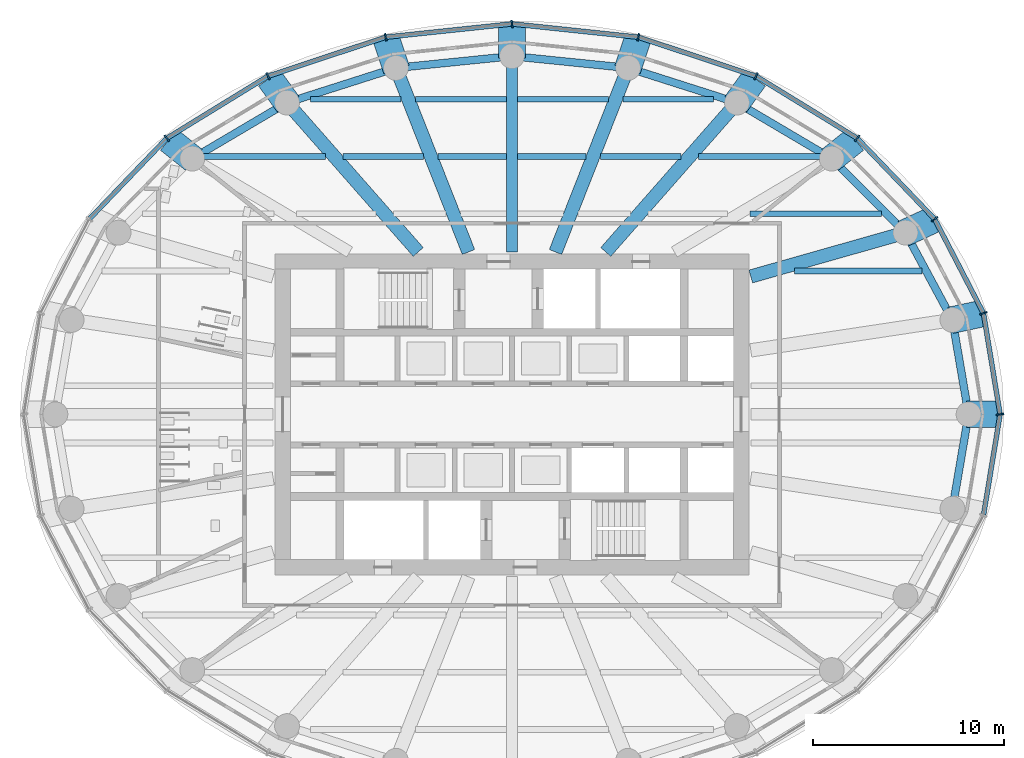
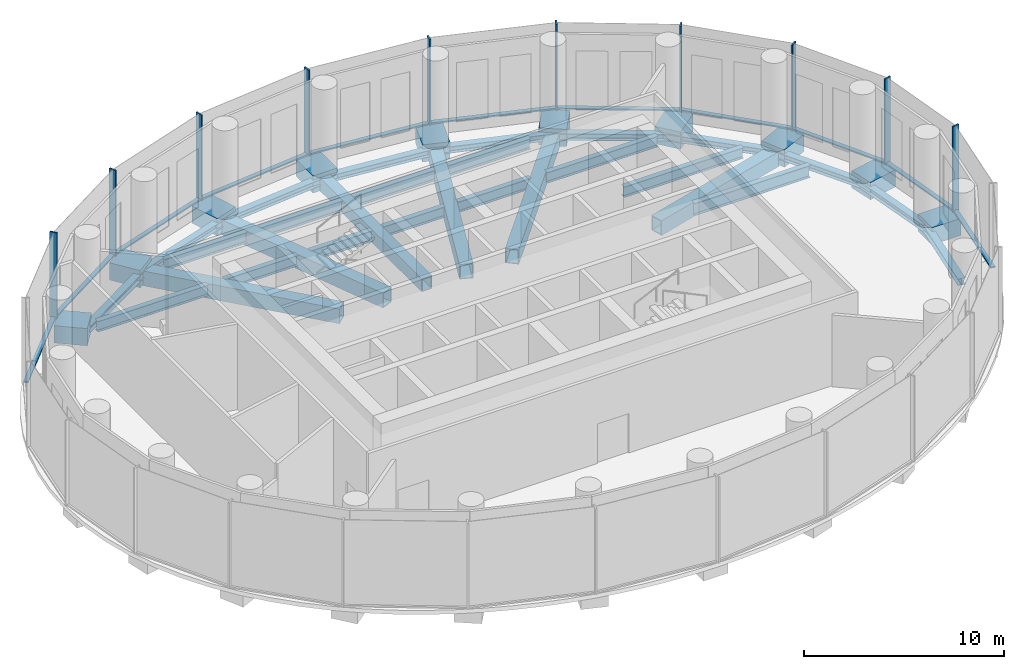
# One storey, part 3 of 13: 38 beams, 21 members, 3 elements without a shape of their own.
"""IFC4 building model written with IfcOpenShell, lengths in metres."""

from ifc_helpers import new_model, si_unit, direction, frame, origin, origin_2d, place, context, subcontext, project, spatial, rectangle, hollow_rectangle, i_section, extrude, material, material_profile, profile_set, type_object, element, aggregate, save


model = new_model("IFC4")

# Units and contexts
model_context = context("Model", 3, precision=1e-05, world=origin(), true_north=direction((0.0, 1.0)))
body_context = subcontext(model_context, "Body", "Model", "MODEL_VIEW")
ifc_project = project(units=[si_unit("LENGTHUNIT", "METRE"), si_unit("AREAUNIT", "SQUARE_METRE"), si_unit("VOLUMEUNIT", "CUBIC_METRE"), si_unit("PLANEANGLEUNIT", "RADIAN"), si_unit("MASSUNIT", "GRAM", prefix="KILO")], contexts=[model_context])

# Site, building, storey
site_placement = place(None, origin())
site = spatial("IfcSite", under=ifc_project, at=site_placement, CompositionType="ELEMENT")
building_placement = place(site_placement, origin())
building = spatial("IfcBuilding", under=site, at=building_placement, Name="Hankou Lantern Tower", CompositionType="ELEMENT")
storey_placement = place(building_placement, frame((0.0, 0.0, 100.199951171875)))
storey = spatial("IfcBuildingStorey", under=building, at=storey_placement, Name="L25", CompositionType="ELEMENT", Elevation=100.199951171875)

# Beams
ifc_material_1 = material(Name="Steel Q355B", Category="steel")
ifc_material_profile_1 = material_profile(ifc_material_1, i_section(OverallWidth=0.39990234375, OverallDepth=0.39990234375, WebThickness=0.012939453125, FlangeThickness=0.02099609375, FilletRadius=0.02197265625, at=origin_2d()), Name="HW400x400x13x21")
ifc_profile_set_1 = profile_set([ifc_material_profile_1], Name="Steel Q355B")
beam_type_1 = type_object("IfcBeamType", Name="EB19 RING BEAM HW400x400x13x21", PredefinedType="SPANDREL", material=ifc_profile_set_1)
beam_1_placement = place(storey_placement, frame((23.89990234375, 0.0, -0.449951171875), z_axis=(-0.168527258545, 0.985696993567, 0.0), x_axis=(-0.985696993567, -0.168527258545, 0.0)))
element("IfcBeam", 1, at=beam_1_placement, inside=storey, type_object=beam_type_1, Name="Ring beam R01-R02 L25", PredefinedType="SPANDREL", context=body_context, shape_type="SweptSolid", body=[
    extrude(i_section(OverallWidth=0.39990234375, OverallDepth=0.39990234375, WebThickness=0.012939453125, FlangeThickness=0.02099609375, FilletRadius=0.02197265625, at=origin_2d()), origin(), (0.0, 0.0, 1.0), 5.013916015625),
])
beam_2_placement = place(storey_placement, frame((23.054931640625, 4.942138671875, -0.449951171875), z_axis=(-0.473824901673, 0.880619079145, 0.0), x_axis=(-0.880619079145, -0.473824901673, 0.0)))
element("IfcBeam", 2, at=beam_2_placement, inside=storey, type_object=beam_type_1, Name="Ring beam R02-R03 L25", PredefinedType="SPANDREL", context=body_context, shape_type="SweptSolid", body=[
    extrude(i_section(OverallWidth=0.39990234375, OverallDepth=0.39990234375, WebThickness=0.012939453125, FlangeThickness=0.02099609375, FilletRadius=0.02197265625, at=origin_2d()), origin(), (0.0, 0.0, 1.0), 5.190185546875),
])
beam_3_placement = place(storey_placement, frame((20.595703125, 9.5126953125, -0.449951171875), z_axis=(-0.705945468625, 0.708266189599, 0.0), x_axis=(-0.708266189599, -0.705945468625, 0.0)))
element("IfcBeam", 3, at=beam_3_placement, inside=storey, type_object=beam_type_1, Name="Ring beam R03-R04 L25", PredefinedType="SPANDREL", context=body_context, shape_type="SweptSolid", body=[
    extrude(i_section(OverallWidth=0.39990234375, OverallDepth=0.39990234375, WebThickness=0.012939453125, FlangeThickness=0.02099609375, FilletRadius=0.02197265625, at=origin_2d()), origin(), (0.0, 0.0, 1.0), 5.470458984375),
])
beam_4_placement = place(storey_placement, frame((16.73388671875, 13.38720703125, -0.449951171875), z_axis=(-0.860988974188, 0.508623619513, 0.0), x_axis=(-0.508623619513, -0.860988974188, 0.0)))
element("IfcBeam", 4, at=beam_4_placement, inside=storey, type_object=beam_type_1, Name="Ring beam R04-R05 L25", PredefinedType="SPANDREL", context=body_context, shape_type="SweptSolid", body=[
    extrude(i_section(OverallWidth=0.39990234375, OverallDepth=0.39990234375, WebThickness=0.012939453125, FlangeThickness=0.02099609375, FilletRadius=0.02197265625, at=origin_2d()), origin(), (0.0, 0.0, 1.0), 5.759033203125),
])
beam_5_placement = place(storey_placement, frame((11.775390625, 16.31640625, -0.449951171875), z_axis=(-0.952731090451, 0.303814860215, 0.0), x_axis=(-0.303814860215, -0.952731090451, 0.0)))
element("IfcBeam", 5, at=beam_5_placement, inside=storey, type_object=beam_type_1, Name="Ring beam R05-R06 L25", PredefinedType="SPANDREL", context=body_context, shape_type="SweptSolid", body=[
    extrude(i_section(OverallWidth=0.39990234375, OverallDepth=0.39990234375, WebThickness=0.012939453125, FlangeThickness=0.02099609375, FilletRadius=0.02197265625, at=origin_2d()), origin(), (0.0, 0.0, 1.0), 5.984375),
])
for number, where, z_axis, x_axis, name in (
    (6, (6.073974609375, 18.134521484375, -0.449951171875), (-0.994905271594, 0.100814188259, 0.0), (-0.100814188259, -0.994905271594, 0.0), "Ring beam R06-R07 L25"),
    (7, (0.0, 18.75, -0.449951171875), (-0.994905271594, -0.100814188259, 0.0), (0.100814188259, -0.994905271594, 0.0), "Ring beam R07-R08 L25"),
):
    element("IfcBeam", number, at=place(storey_placement, frame(where, z_axis=z_axis, x_axis=x_axis)), inside=storey, type_object=beam_type_1, Name=name, PredefinedType="SPANDREL", context=body_context, shape_type="SweptSolid", body=[
        extrude(i_section(OverallWidth=0.39990234375, OverallDepth=0.39990234375, WebThickness=0.012939453125, FlangeThickness=0.02099609375, FilletRadius=0.02197265625, at=origin_2d()), origin(), (0.0, 0.0, 1.0), 6.10498046875),
    ])
beam_6_placement = place(storey_placement, frame((-6.073974609375, 18.134521484375, -0.449951171875), z_axis=(-0.952731090451, -0.303814860215, 0.0), x_axis=(0.303814860215, -0.952731090451, 0.0)))
element("IfcBeam", 8, at=beam_6_placement, inside=storey, type_object=beam_type_1, Name="Ring beam R08-R09 L25", PredefinedType="SPANDREL", context=body_context, shape_type="SweptSolid", body=[
    extrude(i_section(OverallWidth=0.39990234375, OverallDepth=0.39990234375, WebThickness=0.012939453125, FlangeThickness=0.02099609375, FilletRadius=0.02197265625, at=origin_2d()), origin(), (0.0, 0.0, 1.0), 5.984375),
])
beam_7_placement = place(storey_placement, frame((-11.775390625, 16.31640625, -0.449951171875), z_axis=(-0.860988974188, -0.508623619513, 0.0), x_axis=(0.508623619513, -0.860988974188, 0.0)))
element("IfcBeam", 9, at=beam_7_placement, inside=storey, type_object=beam_type_1, Name="Ring beam R09-R10 L25", PredefinedType="SPANDREL", context=body_context, shape_type="SweptSolid", body=[
    extrude(i_section(OverallWidth=0.39990234375, OverallDepth=0.39990234375, WebThickness=0.012939453125, FlangeThickness=0.02099609375, FilletRadius=0.02197265625, at=origin_2d()), origin(), (0.0, 0.0, 1.0), 5.759033203125),
])
beam_8_placement = place(storey_placement, frame((23.054931640625, -4.942138671875, -0.449951171875), z_axis=(0.168527258545, 0.985696993567, 0.0), x_axis=(-0.985696993567, 0.168527258545, 0.0)))
element("IfcBeam", 10, at=beam_8_placement, inside=storey, type_object=beam_type_1, Name="Ring beam R24-R01 L25", PredefinedType="SPANDREL", context=body_context, shape_type="SweptSolid", body=[
    extrude(i_section(OverallWidth=0.39990234375, OverallDepth=0.39990234375, WebThickness=0.012939453125, FlangeThickness=0.02099609375, FilletRadius=0.02197265625, at=origin_2d()), origin(), (0.0, 0.0, 1.0), 5.013916015625),
])

# Curtain wall, members
ifc_material_2 = material(Name="Glass, dark grey tinted laminated", Category="glass")
curtain_wall_type = type_object("IfcCurtainWallType", Name="CWB OUTER SKIN MID-RISE", PredefinedType="USERDEFINED", material=ifc_material_2)
curtain_wall_1_placement = place(storey_placement, origin())
curtain_wall_1 = element("IfcCurtainWall", 11, at=curtain_wall_1_placement, inside=storey, type_object=curtain_wall_type, Name="CWB L25 OS1", ObjectType="OUTER SKIN MID-RISE", PredefinedType="USERDEFINED")
ifc_material_3 = material(Name="Aluminium, black anodised", Category="aluminium")
ifc_material_profile_2 = material_profile(ifc_material_3, rectangle(XDim=0.080078125, YDim=0.39990234375, at=origin_2d()), Name="MU3 80X400")
ifc_profile_set_2 = profile_set([ifc_material_profile_2], Name="Aluminium, black anodised")
member_type_1 = type_object("IfcMemberType", Name="MU3 OUTER SKIN TALL MULLION 80X400", PredefinedType="MULLION", material=ifc_profile_set_2)
member_1_placement = place(storey_placement, frame((25.550048828125, 0.0, 0.0), z_axis=(0.0, 0.0, 1.0), x_axis=(-0.162381515188, 0.986728049427, 0.0)))
member_1 = element("IfcMember", 12, at=member_1_placement, type_object=member_type_1, Name="CWB mullion 1", PredefinedType="MULLION", context=body_context, shape_type="SweptSolid", body=[
    extrude(rectangle(XDim=0.080078125, YDim=0.39990234375, at=origin_2d()), origin(), (0.0, 0.0, 1.0), 5.219970703125),
])
member_2_placement = place(storey_placement, frame((24.679443359375, 5.290283203125, 0.0), z_axis=(0.0, 0.0, 1.0), x_axis=(-0.317595577365, 0.94822626479, 0.0)))
member_2 = element("IfcMember", 13, at=member_2_placement, type_object=member_type_1, Name="CWB mullion 2", PredefinedType="MULLION", context=body_context, shape_type="SweptSolid", body=[
    extrude(rectangle(XDim=0.080078125, YDim=0.39990234375, at=origin_2d()), origin(), (0.0, 0.0, 1.0), 5.219970703125),
])
member_3_placement = place(storey_placement, frame((22.126953125, 10.219970703125, 0.0), z_axis=(0.0, 0.0, 1.0), x_axis=(-0.585205735974, 0.810884854084, 0.0)))
member_3 = element("IfcMember", 14, at=member_3_placement, type_object=member_type_1, Name="CWB mullion 3", PredefinedType="MULLION", context=body_context, shape_type="SweptSolid", body=[
    extrude(rectangle(XDim=0.080078125, YDim=0.39990234375, at=origin_2d()), origin(), (0.0, 0.0, 1.0), 5.219970703125),
])
member_4_placement = place(storey_placement, frame((18.066650390625, 14.453369140625, 0.0), z_axis=(0.0, 0.0, 1.0), x_axis=(-0.780868809444, 0.624695047553, 0.0)))
member_4 = element("IfcMember", 15, at=member_4_placement, type_object=member_type_1, Name="CWB mullion 4", PredefinedType="MULLION", context=body_context, shape_type="SweptSolid", body=[
    extrude(rectangle(XDim=0.080078125, YDim=0.39990234375, at=origin_2d()), origin(), (0.0, 0.0, 1.0), 5.219970703125),
])
member_5_placement = place(storey_placement, frame((12.77490234375, 17.70166015625, 0.0), z_axis=(0.0, 0.0, 1.0), x_axis=(-0.907841299004, 0.419313934686, 0.0)))
member_5 = element("IfcMember", 16, at=member_5_placement, type_object=member_type_1, Name="CWB mullion 5", PredefinedType="MULLION", context=body_context, shape_type="SweptSolid", body=[
    extrude(rectangle(XDim=0.080078125, YDim=0.39990234375, at=origin_2d()), origin(), (0.0, 0.0, 1.0), 5.219970703125),
])
member_6_placement = place(storey_placement, frame((6.61279296875, 19.743408203125, 0.0), z_axis=(0.0, 0.0, 1.0), x_axis=(-0.977787659625, 0.209597931016, 0.0)))
member_6 = element("IfcMember", 17, at=member_6_placement, type_object=member_type_1, Name="CWB mullion 6", PredefinedType="MULLION", context=body_context, shape_type="SweptSolid", body=[
    extrude(rectangle(XDim=0.080078125, YDim=0.39990234375, at=origin_2d()), origin(), (0.0, 0.0, 1.0), 5.219970703125),
])

curtain_wall_2_placement = place(storey_placement, origin())
curtain_wall_2 = element("IfcCurtainWall", 18, at=curtain_wall_2_placement, inside=storey, type_object=curtain_wall_type, Name="CWB L25 OS2", ObjectType="OUTER SKIN MID-RISE", PredefinedType="USERDEFINED")
member_7_placement = place(storey_placement, frame((0.0, 20.43994140625, 0.0), z_axis=(0.0, 0.0, 1.0), x_axis=(-0.994499359107, -0.104742659579, 0.0)))
member_7 = element("IfcMember", 19, at=member_7_placement, type_object=member_type_1, Name="CWB mullion 1", PredefinedType="MULLION", context=body_context, shape_type="SweptSolid", body=[
    extrude(rectangle(XDim=0.080078125, YDim=0.39990234375, at=origin_2d()), origin(), (0.0, 0.0, 1.0), 5.219970703125),
])
member_8_placement = place(storey_placement, frame((-6.61279296875, 19.743408203125, 0.0), z_axis=(0.0, 0.0, 1.0), x_axis=(-0.977787659625, -0.209597931016, 0.0)))
member_8 = element("IfcMember", 20, at=member_8_placement, type_object=member_type_1, Name="CWB mullion 2", PredefinedType="MULLION", context=body_context, shape_type="SweptSolid", body=[
    extrude(rectangle(XDim=0.080078125, YDim=0.39990234375, at=origin_2d()), origin(), (0.0, 0.0, 1.0), 5.219970703125),
])
member_9_placement = place(storey_placement, frame((-12.77490234375, 17.70166015625, 0.0), z_axis=(0.0, 0.0, 1.0), x_axis=(-0.907841299004, -0.419313934686, 0.0)))
member_9 = element("IfcMember", 21, at=member_9_placement, type_object=member_type_1, Name="CWB mullion 3", PredefinedType="MULLION", context=body_context, shape_type="SweptSolid", body=[
    extrude(rectangle(XDim=0.080078125, YDim=0.39990234375, at=origin_2d()), origin(), (0.0, 0.0, 1.0), 5.219970703125),
])
member_10_placement = place(storey_placement, frame((-18.066650390625, 14.453369140625, 0.0), z_axis=(0.0, 0.0, 1.0), x_axis=(-0.780868809444, -0.624695047553, 0.0)))
member_10 = element("IfcMember", 22, at=member_10_placement, type_object=member_type_1, Name="CWB mullion 4", PredefinedType="MULLION", context=body_context, shape_type="SweptSolid", body=[
    extrude(rectangle(XDim=0.080078125, YDim=0.39990234375, at=origin_2d()), origin(), (0.0, 0.0, 1.0), 5.219970703125),
])

# Beams
ifc_material_4 = material(Name="Steel Q390GJ", Category="steel")
ifc_material_profile_3 = material_profile(ifc_material_4, hollow_rectangle(XDim=0.60009765625, YDim=0.800048828125, WallThickness=0.050048828125, at=origin_2d()), Name="BOX800x600x50")
ifc_profile_set_3 = profile_set([ifc_material_profile_3], Name="Steel Q390GJ")
beam_type_2 = type_object("IfcBeamType", Name="OT1 OUTRIGGER CHORD BOX800x600x50", PredefinedType="BEAM", material=ifc_profile_set_3)
beam_9_placement = place(storey_placement, frame((0.0, 8.5, -0.64990234375), z_axis=(0.0, 1.0, 0.0), x_axis=(-1.0, 0.0, 0.0)))
element("IfcBeam", 23, at=beam_9_placement, inside=storey, type_object=beam_type_2, Name="Radial beam R07 L25", PredefinedType="BEAM", context=body_context, shape_type="SweptSolid", body=[
    extrude(hollow_rectangle(XDim=0.60009765625, YDim=0.800048828125, WallThickness=0.050048828125, at=origin_2d()), origin(), (0.0, 0.0, 1.0), 10.25),
])
ifc_material_5 = material(Name="Steel Q355B", Category="steel")
ifc_material_profile_4 = material_profile(ifc_material_5, hollow_rectangle(XDim=0.699951171875, YDim=0.89990234375, WallThickness=0.050048828125, at=origin_2d()), Name="BOX900x700x50")
ifc_profile_set_4 = profile_set([ifc_material_profile_4], Name="Steel Q355B")
beam_type_3 = type_object("IfcBeamType", Name="RB27 RADIAL BEAM BOX900x700x50", PredefinedType="BEAM", material=ifc_profile_set_4)
beam_10_placement = place(storey_placement, frame((12.5, 7.216796875, -0.699951171875), z_axis=(0.96206075006, 0.272835322484, 0.0), x_axis=(-0.272835322484, 0.96206075006, 0.0)))
element("IfcBeam", 24, at=beam_10_placement, inside=storey, type_object=beam_type_3, Name="Radial beam R03 L25", PredefinedType="BEAM", context=body_context, shape_type="SweptSolid", body=[
    extrude(hollow_rectangle(XDim=0.699951171875, YDim=0.89990234375, WallThickness=0.050048828125, at=origin_2d()), origin(), (0.0, 0.0, 1.0), 8.4150390625),
])
beam_11_placement = place(storey_placement, frame((4.907470703125, 8.5, -0.699951171875), z_axis=(0.660058037613, 0.751214607807, 0.0), x_axis=(-0.751214607807, 0.660058037613, 0.0)))
element("IfcBeam", 25, at=beam_11_placement, inside=storey, type_object=beam_type_3, Name="Radial beam R05 L25", PredefinedType="BEAM", context=body_context, shape_type="SweptSolid", body=[
    extrude(hollow_rectangle(XDim=0.699951171875, YDim=0.89990234375, WallThickness=0.050048828125, at=origin_2d()), origin(), (0.0, 0.0, 1.0), 10.405029296875),
])
for number, where, z_axis, x_axis, name in (
    (26, (2.277587890625, 8.5, -0.699951171875), (0.366605533444, 0.930376473718, 0.0), (-0.930376473718, 0.366605533444, 0.0), "Radial beam R06 L25"),
    (27, (-2.277587890625, 8.5, -0.699951171875), (-0.366605533444, 0.930376473718, 0.0), (-0.930376473718, -0.366605533444, 0.0), "Radial beam R08 L25"),
):
    element("IfcBeam", number, at=place(storey_placement, frame(where, z_axis=z_axis, x_axis=x_axis)), inside=storey, type_object=beam_type_3, Name=name, PredefinedType="BEAM", context=body_context, shape_type="SweptSolid", body=[
        extrude(hollow_rectangle(XDim=0.699951171875, YDim=0.89990234375, WallThickness=0.050048828125, at=origin_2d()), origin(), (0.0, 0.0, 1.0), 10.35546875),
    ])
beam_12_placement = place(storey_placement, frame((-4.907470703125, 8.5, -0.699951171875), z_axis=(-0.660058037613, 0.751214607807, 0.0), x_axis=(-0.751214607807, -0.660058037613, 0.0)))
element("IfcBeam", 28, at=beam_12_placement, inside=storey, type_object=beam_type_3, Name="Radial beam R09 L25", PredefinedType="BEAM", context=body_context, shape_type="SweptSolid", body=[
    extrude(hollow_rectangle(XDim=0.699951171875, YDim=0.89990234375, WallThickness=0.050048828125, at=origin_2d()), origin(), (0.0, 0.0, 1.0), 10.405029296875),
])
ifc_material_6 = material(Name="Steel Q355B", Category="steel")
ifc_material_profile_5 = material_profile(ifc_material_6, i_section(OverallWidth=0.300048828125, OverallDepth=0.75, WebThickness=0.012939453125, FlangeThickness=0.02392578125, FilletRadius=0.01806640625, at=origin_2d()), Name="HN750x300x13x24")
ifc_profile_set_5 = profile_set([ifc_material_profile_5], Name="Steel Q355B")
beam_type_4 = type_object("IfcBeamType", Name="SB10 SECONDARY BEAM HN750x300x13x24", PredefinedType="JOIST", material=ifc_profile_set_5)
beam_13_placement = place(storey_placement, frame((14.78125, 7.5, -0.625), z_axis=(1.0, 0.0, 0.0), x_axis=(0.0, 1.0, 0.0)))
element("IfcBeam", 29, at=beam_13_placement, inside=storey, type_object=beam_type_4, Name="Floor joist J034 L25", PredefinedType="JOIST", context=body_context, shape_type="SweptSolid", body=[
    extrude(i_section(OverallWidth=0.300048828125, OverallDepth=0.75, WebThickness=0.012939453125, FlangeThickness=0.02392578125, FilletRadius=0.01806640625, at=origin_2d()), origin(), (0.0, 0.0, 1.0), 6.670166015625),
])
ifc_material_7 = material(Name="Steel Q355B", Category="steel")
ifc_material_profile_6 = material_profile(ifc_material_7, i_section(OverallWidth=0.300048828125, OverallDepth=0.64990234375, WebThickness=0.010986328125, FlangeThickness=0.01708984375, FilletRadius=0.01806640625, at=origin_2d()), Name="HN650x300x11x17")
ifc_profile_set_6 = profile_set([ifc_material_profile_6], Name="Steel Q355B")
beam_type_5 = type_object("IfcBeamType", Name="SB8 SECONDARY BEAM HN650x300x11x17", PredefinedType="JOIST", material=ifc_profile_set_6)
beam_14_placement = place(storey_placement, frame((12.457275390625, 10.5, -0.574951171875), z_axis=(1.0, 0.0, 0.0), x_axis=(0.0, 1.0, 0.0)))
element("IfcBeam", 30, at=beam_14_placement, inside=storey, type_object=beam_type_5, Name="Floor joist J042 L25", PredefinedType="JOIST", context=body_context, shape_type="SweptSolid", body=[
    extrude(i_section(OverallWidth=0.300048828125, OverallDepth=0.64990234375, WebThickness=0.010986328125, FlangeThickness=0.01708984375, FilletRadius=0.01806640625, at=origin_2d()), origin(), (0.0, 0.0, 1.0), 6.871826171875),
])
beam_15_placement = place(storey_placement, frame((-16.149658203125, 13.5, -0.574951171875), z_axis=(1.0, 0.0, 0.0), x_axis=(0.0, 1.0, 0.0)))
element("IfcBeam", 31, at=beam_15_placement, inside=storey, type_object=beam_type_5, Name="Floor joist J043 L25", PredefinedType="JOIST", context=body_context, shape_type="SweptSolid", body=[
    extrude(i_section(OverallWidth=0.300048828125, OverallDepth=0.64990234375, WebThickness=0.010986328125, FlangeThickness=0.01708984375, FilletRadius=0.01806640625, at=origin_2d()), origin(), (0.0, 0.0, 1.0), 6.383056640625),
])
beam_16_placement = place(storey_placement, frame((-8.834716796875, 13.5, -0.574951171875), z_axis=(1.0, 0.0, 0.0), x_axis=(0.0, 1.0, 0.0)))
element("IfcBeam", 32, at=beam_16_placement, inside=storey, type_object=beam_type_5, Name="Floor joist J044 L25", PredefinedType="JOIST", context=body_context, shape_type="SweptSolid", body=[
    extrude(i_section(OverallWidth=0.300048828125, OverallDepth=0.64990234375, WebThickness=0.010986328125, FlangeThickness=0.01708984375, FilletRadius=0.01806640625, at=origin_2d()), origin(), (0.0, 0.0, 1.0), 4.2109375),
])
for number, where, z_axis, x_axis, name in (
    (33, (-3.87158203125, 13.5, -0.574951171875), (1.0, 0.0, 0.0), (0.0, 1.0, 0.0), "Floor joist J045 L25"),
    (34, (0.300048828125, 13.5, -0.574951171875), (1.0, 0.0, 0.0), (0.0, 1.0, 0.0), "Floor joist J046 L25"),
):
    element("IfcBeam", number, at=place(storey_placement, frame(where, z_axis=z_axis, x_axis=x_axis)), inside=storey, type_object=beam_type_5, Name=name, PredefinedType="JOIST", context=body_context, shape_type="SweptSolid", body=[
        extrude(i_section(OverallWidth=0.300048828125, OverallDepth=0.64990234375, WebThickness=0.010986328125, FlangeThickness=0.01708984375, FilletRadius=0.01806640625, at=origin_2d()), origin(), (0.0, 0.0, 1.0), 3.571533203125),
    ])
beam_17_placement = place(storey_placement, frame((4.623779296875, 13.5, -0.574951171875), z_axis=(1.0, 0.0, 0.0), x_axis=(0.0, 1.0, 0.0)))
element("IfcBeam", 35, at=beam_17_placement, inside=storey, type_object=beam_type_5, Name="Floor joist J047 L25", PredefinedType="JOIST", context=body_context, shape_type="SweptSolid", body=[
    extrude(i_section(OverallWidth=0.300048828125, OverallDepth=0.64990234375, WebThickness=0.010986328125, FlangeThickness=0.01708984375, FilletRadius=0.01806640625, at=origin_2d()), origin(), (0.0, 0.0, 1.0), 4.2109375),
])
beam_18_placement = place(storey_placement, frame((9.7666015625, 13.5, -0.574951171875), z_axis=(1.0, 0.0, 0.0), x_axis=(0.0, 1.0, 0.0)))
element("IfcBeam", 36, at=beam_18_placement, inside=storey, type_object=beam_type_5, Name="Floor joist J048 L25", PredefinedType="JOIST", context=body_context, shape_type="SweptSolid", body=[
    extrude(i_section(OverallWidth=0.300048828125, OverallDepth=0.64990234375, WebThickness=0.010986328125, FlangeThickness=0.01708984375, FilletRadius=0.01806640625, at=origin_2d()), origin(), (0.0, 0.0, 1.0), 6.383056640625),
])
beam_19_placement = place(storey_placement, frame((-10.541015625, 16.5, -0.574951171875), z_axis=(1.0, 0.0, 0.0), x_axis=(0.0, 1.0, 0.0)))
element("IfcBeam", 37, at=beam_19_placement, inside=storey, type_object=beam_type_5, Name="Floor joist J049 L25", PredefinedType="JOIST", context=body_context, shape_type="SweptSolid", body=[
    extrude(i_section(OverallWidth=0.300048828125, OverallDepth=0.64990234375, WebThickness=0.010986328125, FlangeThickness=0.01708984375, FilletRadius=0.01806640625, at=origin_2d()), origin(), (0.0, 0.0, 1.0), 4.73486328125),
])
for number, where, z_axis, x_axis, name in (
    (38, (-5.0537109375, 16.5, -0.574951171875), (1.0, 0.0, 0.0), (0.0, 1.0, 0.0), "Floor joist J050 L25"),
    (39, (0.300048828125, 16.5, -0.574951171875), (1.0, 0.0, 0.0), (0.0, 1.0, 0.0), "Floor joist J051 L25"),
):
    element("IfcBeam", number, at=place(storey_placement, frame(where, z_axis=z_axis, x_axis=x_axis)), inside=storey, type_object=beam_type_5, Name=name, PredefinedType="JOIST", context=body_context, shape_type="SweptSolid", body=[
        extrude(i_section(OverallWidth=0.300048828125, OverallDepth=0.64990234375, WebThickness=0.010986328125, FlangeThickness=0.01708984375, FilletRadius=0.01806640625, at=origin_2d()), origin(), (0.0, 0.0, 1.0), 4.753662109375),
    ])
beam_20_placement = place(storey_placement, frame((5.80615234375, 16.5, -0.574951171875), z_axis=(1.0, 0.0, 0.0), x_axis=(0.0, 1.0, 0.0)))
element("IfcBeam", 40, at=beam_20_placement, inside=storey, type_object=beam_type_5, Name="Floor joist J052 L25", PredefinedType="JOIST", context=body_context, shape_type="SweptSolid", body=[
    extrude(i_section(OverallWidth=0.300048828125, OverallDepth=0.64990234375, WebThickness=0.010986328125, FlangeThickness=0.01708984375, FilletRadius=0.01806640625, at=origin_2d()), origin(), (0.0, 0.0, 1.0), 4.73486328125),
])
ifc_material_8 = material(Name="Concrete C60", Category="concrete")
ifc_material_profile_7 = material_profile(ifc_material_8, rectangle(XDim=1.39990234375, YDim=1.050048828125, at=origin_2d()), Name="RC 1400x1050")
ifc_profile_set_7 = profile_set([ifc_material_profile_7], Name="Concrete C60")
beam_type_6 = type_object("IfcBeamType", Name="TN1 TRANSFER NODE RC 1400x1050", PredefinedType="BEAM", material=ifc_profile_set_7)
beam_21_placement = place(storey_placement, frame((25.47998046875, 0.0, -0.52490234375), z_axis=(-1.0, 0.0, 0.0), x_axis=(0.0, -1.0, 0.0)))
element("IfcBeam", 41, at=beam_21_placement, inside=storey, type_object=beam_type_6, Name="Transfer node R01 L25", PredefinedType="BEAM", context=body_context, shape_type="SweptSolid", body=[
    extrude(rectangle(XDim=1.39990234375, YDim=1.050048828125, at=origin_2d()), origin(), (0.0, 0.0, 1.0), 1.679931640625),
])
beam_22_placement = place(storey_placement, frame((24.599853515625, 5.273193359375, -0.52490234375), z_axis=(-0.977800287519, -0.209539012424, 0.0), x_axis=(0.209539012424, -0.977800287519, 0.0)))
element("IfcBeam", 42, at=beam_22_placement, inside=storey, type_object=beam_type_6, Name="Transfer node R02 L25", PredefinedType="BEAM", context=body_context, shape_type="SweptSolid", body=[
    extrude(rectangle(XDim=1.39990234375, YDim=1.050048828125, at=origin_2d()), origin(), (0.0, 0.0, 1.0), 1.68017578125),
])
beam_23_placement = place(storey_placement, frame((22.030029296875, 10.17529296875, -0.52490234375), z_axis=(-0.907806207555, -0.419389901553, 0.0), x_axis=(0.419389901553, -0.907806207555, 0.0)))
element("IfcBeam", 43, at=beam_23_placement, inside=storey, type_object=beam_type_6, Name="Transfer node R03 L25", PredefinedType="BEAM", context=body_context, shape_type="SweptSolid", body=[
    extrude(rectangle(XDim=1.39990234375, YDim=1.050048828125, at=origin_2d()), origin(), (0.0, 0.0, 1.0), 1.679931640625),
])
beam_24_placement = place(storey_placement, frame((17.9677734375, 14.374267578125, -0.52490234375), z_axis=(-0.780882985592, -0.624677326956, 0.0), x_axis=(0.624677326956, -0.780882985592, 0.0)))
element("IfcBeam", 44, at=beam_24_placement, inside=storey, type_object=beam_type_6, Name="Transfer node R04 L25", PredefinedType="BEAM", context=body_context, shape_type="SweptSolid", body=[
    extrude(rectangle(XDim=1.39990234375, YDim=1.050048828125, at=origin_2d()), origin(), (0.0, 0.0, 1.0), 1.68017578125),
])
for number, where, z_axis, x_axis, name in (
    (45, (12.699951171875, 17.59765625, -0.52490234375), (-0.585204003834, -0.810886104146, 0.0), (0.810886104146, -0.585204003834, 0.0), "Transfer node R05 L25"),
    (46, (6.57568359375, 19.632568359375, -0.52490234375), (-0.31766605471, -0.948202656443, 0.0), (0.948202656443, -0.31766605471, 0.0), "Transfer node R06 L25"),
):
    element("IfcBeam", number, at=place(storey_placement, frame(where, z_axis=z_axis, x_axis=x_axis)), inside=storey, type_object=beam_type_6, Name=name, PredefinedType="BEAM", context=body_context, shape_type="SweptSolid", body=[
        extrude(rectangle(XDim=1.39990234375, YDim=1.050048828125, at=origin_2d()), origin(), (0.0, 0.0, 1.0), 1.679931640625),
    ])
beam_25_placement = place(storey_placement, frame((0.0, 20.330078125, -0.52490234375), z_axis=(0.0, -1.0, 0.0), x_axis=(1.0, 0.0, 0.0)))
element("IfcBeam", 47, at=beam_25_placement, inside=storey, type_object=beam_type_6, Name="Transfer node R07 L25", PredefinedType="BEAM", context=body_context, shape_type="SweptSolid", body=[
    extrude(rectangle(XDim=1.39990234375, YDim=1.050048828125, at=origin_2d()), origin(), (0.0, 0.0, 1.0), 1.68017578125),
])
for number, where, z_axis, x_axis, name in (
    (48, (-6.57568359375, 19.632568359375, -0.52490234375), (0.31766605471, -0.948202656443, 0.0), (0.948202656443, 0.31766605471, 0.0), "Transfer node R08 L25"),
    (49, (-12.699951171875, 17.59765625, -0.52490234375), (0.585204003834, -0.810886104146, 0.0), (0.810886104146, 0.585204003834, 0.0), "Transfer node R09 L25"),
):
    element("IfcBeam", number, at=place(storey_placement, frame(where, z_axis=z_axis, x_axis=x_axis)), inside=storey, type_object=beam_type_6, Name=name, PredefinedType="BEAM", context=body_context, shape_type="SweptSolid", body=[
        extrude(rectangle(XDim=1.39990234375, YDim=1.050048828125, at=origin_2d()), origin(), (0.0, 0.0, 1.0), 1.679931640625),
    ])
beam_26_placement = place(storey_placement, frame((-17.9677734375, 14.374267578125, -0.52490234375), z_axis=(0.780882985592, -0.624677326956, 0.0), x_axis=(0.624677326956, 0.780882985592, 0.0)))
element("IfcBeam", 50, at=beam_26_placement, inside=storey, type_object=beam_type_6, Name="Transfer node R10 L25", PredefinedType="BEAM", context=body_context, shape_type="SweptSolid", body=[
    extrude(rectangle(XDim=1.39990234375, YDim=1.050048828125, at=origin_2d()), origin(), (0.0, 0.0, 1.0), 1.68017578125),
])

# Member
ifc_material_9 = material(Name="Aluminium, black anodised", Category="aluminium")
ifc_material_profile_8 = material_profile(ifc_material_9, rectangle(XDim=0.25, YDim=0.080078125, at=origin_2d()), Name="TR3 250X80")
ifc_profile_set_8 = profile_set([ifc_material_profile_8], Name="Aluminium, black anodised")
member_type_2 = type_object("IfcMemberType", Name="TR3 OUTER SKIN TALL TRANSOM 250X80", PredefinedType="USERDEFINED", material=ifc_profile_set_8)
member_11_placement = place(storey_placement, frame((25.54345703125, 0.03955078125, 0.0400390625), z_axis=(-0.162397124076, 0.986725480614, 0.0), x_axis=(-0.986725480614, -0.162397124076, 0.0)))
member_11 = element("IfcMember", 51, at=member_11_placement, type_object=member_type_2, Name="CWB transom 1", ObjectType="TRANSOM", PredefinedType="USERDEFINED", context=body_context, shape_type="SweptSolid", body=[
    extrude(rectangle(XDim=0.25, YDim=0.080078125, at=origin_2d()), origin(), (0.0, 0.0, 1.0), 5.28125),
])

member_12_placement = place(storey_placement, frame((24.6611328125, 5.32568359375, 0.0400390625), z_axis=(-0.459805240543, 0.888019786249, 0.0), x_axis=(-0.888019786249, -0.459805240543, 0.0)))
member_12 = element("IfcMember", 52, at=member_12_placement, type_object=member_type_2, Name="CWB transom 2", ObjectType="TRANSOM", PredefinedType="USERDEFINED", context=body_context, shape_type="SweptSolid", body=[
    extrude(rectangle(XDim=0.25, YDim=0.080078125, at=origin_2d()), origin(), (0.0, 0.0, 1.0), 5.4716796875),
])

member_13_placement = place(storey_placement, frame((22.099365234375, 10.248779296875, 0.0400390625), z_axis=(-0.692226977748, 0.721679853729, 0.0), x_axis=(-0.721679853729, -0.692226977748, 0.0)))
member_13 = element("IfcMember", 53, at=member_13_placement, type_object=member_type_2, Name="CWB transom 3", ObjectType="TRANSOM", PredefinedType="USERDEFINED", context=body_context, shape_type="SweptSolid", body=[
    extrude(rectangle(XDim=0.25, YDim=0.080078125, at=origin_2d()), origin(), (0.0, 0.0, 1.0), 5.785888671875),
])

member_14_placement = place(storey_placement, frame((18.032470703125, 14.47412109375, 0.0400390625), z_axis=(-0.852229492169, 0.523168130411, 0.0), x_axis=(-0.523168130411, -0.852229492169, 0.0)))
member_14 = element("IfcMember", 54, at=member_14_placement, type_object=member_type_2, Name="CWB transom 4", ObjectType="TRANSOM", PredefinedType="USERDEFINED", context=body_context, shape_type="SweptSolid", body=[
    extrude(rectangle(XDim=0.25, YDim=0.080078125, at=origin_2d()), origin(), (0.0, 0.0, 1.0), 6.129150390625),
])

member_15_placement = place(storey_placement, frame((12.737060546875, 17.714111328125, 0.0400390625), z_axis=(-0.949237765745, 0.314559476225, 0.0), x_axis=(-0.314559476225, -0.949237765745, 0.0)))
member_15 = element("IfcMember", 55, at=member_15_placement, type_object=member_type_2, Name="CWB transom 5", ObjectType="TRANSOM", PredefinedType="USERDEFINED", context=body_context, shape_type="SweptSolid", body=[
    extrude(rectangle(XDim=0.25, YDim=0.080078125, at=origin_2d()), origin(), (0.0, 0.0, 1.0), 6.41162109375),
])

member_16_placement = place(storey_placement, frame((6.572998046875, 19.747802734375, 0.0400390625), z_axis=(-0.994500972001, 0.10472734451, 0.0), x_axis=(-0.10472734451, -0.994500972001, 0.0)))
member_16 = element("IfcMember", 56, at=member_16_placement, type_object=member_type_2, Name="CWB transom 6", ObjectType="TRANSOM", PredefinedType="USERDEFINED", context=body_context, shape_type="SweptSolid", body=[
    extrude(rectangle(XDim=0.25, YDim=0.080078125, at=origin_2d()), origin(), (0.0, 0.0, 1.0), 6.5693359375),
])

aggregate(curtain_wall_1, [member_1, member_2, member_3, member_4, member_5, member_6, member_11, member_12, member_13, member_14, member_15, member_16])

member_17_placement = place(storey_placement, frame((-0.039794921875, 20.435791015625, 0.0400390625), z_axis=(-0.994500972001, -0.10472734451, 0.0), x_axis=(0.10472734451, -0.994500972001, 0.0)))
member_17 = element("IfcMember", 57, at=member_17_placement, type_object=member_type_2, Name="CWB transom 1", ObjectType="TRANSOM", PredefinedType="USERDEFINED", context=body_context, shape_type="SweptSolid", body=[
    extrude(rectangle(XDim=0.25, YDim=0.080078125, at=origin_2d()), origin(), (0.0, 0.0, 1.0), 6.5693359375),
])

member_18_placement = place(storey_placement, frame((-6.65087890625, 19.73095703125, 0.0400390625), z_axis=(-0.949237765745, -0.314559476225, 0.0), x_axis=(0.314559476225, -0.949237765745, 0.0)))
member_18 = element("IfcMember", 58, at=member_18_placement, type_object=member_type_2, Name="CWB transom 2", ObjectType="TRANSOM", PredefinedType="USERDEFINED", context=body_context, shape_type="SweptSolid", body=[
    extrude(rectangle(XDim=0.25, YDim=0.080078125, at=origin_2d()), origin(), (0.0, 0.0, 1.0), 6.41162109375),
])

member_19_placement = place(storey_placement, frame((-12.80908203125, 17.6806640625, 0.0400390625), z_axis=(-0.852229492169, -0.523168130411, 0.0), x_axis=(0.523168130411, -0.852229492169, 0.0)))
member_19 = element("IfcMember", 59, at=member_19_placement, type_object=member_type_2, Name="CWB transom 3", ObjectType="TRANSOM", PredefinedType="USERDEFINED", context=body_context, shape_type="SweptSolid", body=[
    extrude(rectangle(XDim=0.25, YDim=0.080078125, at=origin_2d()), origin(), (0.0, 0.0, 1.0), 6.129150390625),
])

member_20_placement = place(storey_placement, frame((-18.09423828125, 14.42431640625, 0.0400390625), z_axis=(-0.692226977748, -0.721679853729, 0.0), x_axis=(0.721679853729, -0.692226977748, 0.0)))
member_20 = element("IfcMember", 60, at=member_20_placement, type_object=member_type_2, Name="CWB transom 4", ObjectType="TRANSOM", PredefinedType="USERDEFINED", context=body_context, shape_type="SweptSolid", body=[
    extrude(rectangle(XDim=0.25, YDim=0.080078125, at=origin_2d()), origin(), (0.0, 0.0, 1.0), 5.785888671875),
])

aggregate(curtain_wall_2, [member_7, member_8, member_9, member_10, member_17, member_18, member_19, member_20])

# Curtain wall, member
curtain_wall_3_placement = place(storey_placement, origin())
curtain_wall_3 = element("IfcCurtainWall", 61, at=curtain_wall_3_placement, inside=storey, type_object=curtain_wall_type, Name="CWB L25 OS4", ObjectType="OUTER SKIN MID-RISE", PredefinedType="USERDEFINED")
member_21_placement = place(storey_placement, frame((24.685791015625, -5.250732421875, 0.0400390625), z_axis=(0.162397124076, 0.986725480614, 0.0), x_axis=(-0.986725480614, 0.162397124076, 0.0)))
member_21 = element("IfcMember", 62, at=member_21_placement, type_object=member_type_2, Name="CWB transom 6", ObjectType="TRANSOM", PredefinedType="USERDEFINED", context=body_context, shape_type="SweptSolid", body=[
    extrude(rectangle(XDim=0.25, YDim=0.080078125, at=origin_2d()), origin(), (0.0, 0.0, 1.0), 5.28125),
])
aggregate(curtain_wall_3, [member_21])

save(model, "model.ifc")
